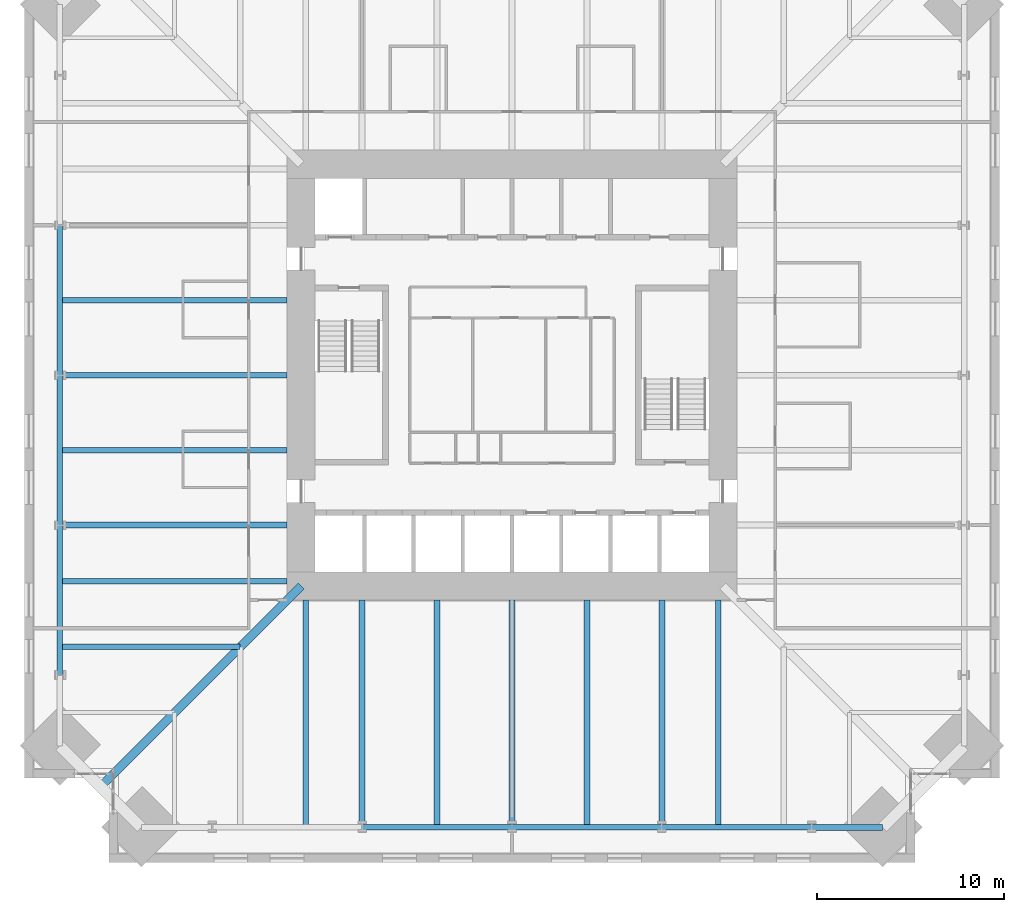
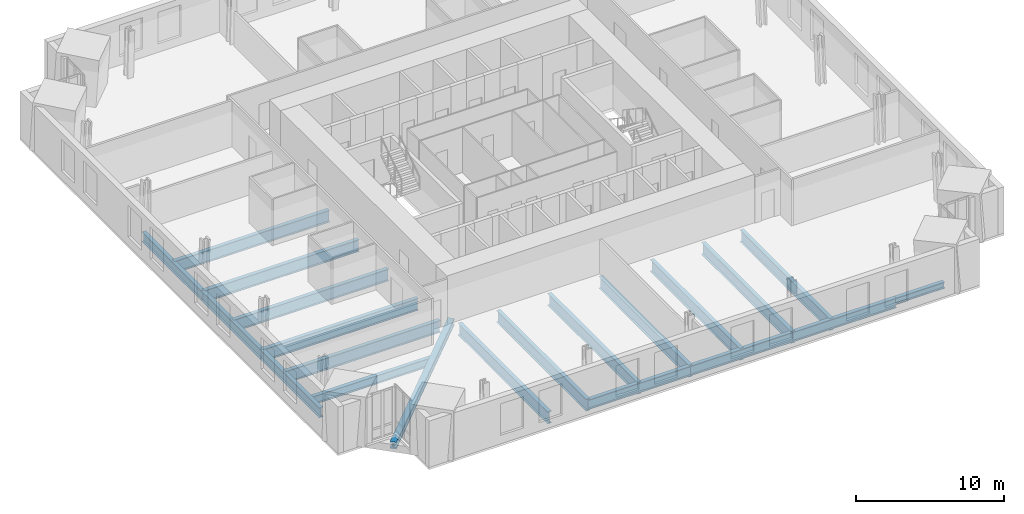
# One storey, part 3 of 18: 21 beams.
"""IFC4 building model written with IfcOpenShell, lengths in metres."""

from ifc_helpers import new_model, si_unit, direction, frame, origin, origin_2d, place, context, subcontext, project, spatial, i_section, extrude, material, material_profile, profile_set, type_object, element, save


model = new_model("IFC4")

# Units and contexts
model_context = context("Model", 3, precision=1e-05, world=origin(), true_north=direction((0.0, 1.0)))
body_context = subcontext(model_context, "Body", "Model", "MODEL_VIEW")
ifc_project = project(units=[si_unit("LENGTHUNIT", "METRE"), si_unit("AREAUNIT", "SQUARE_METRE"), si_unit("VOLUMEUNIT", "CUBIC_METRE"), si_unit("PLANEANGLEUNIT", "RADIAN"), si_unit("MASSUNIT", "GRAM", prefix="KILO")], contexts=[model_context])

# Site, building, storey
site_placement = place(None, origin())
site = spatial("IfcSite", under=ifc_project, at=site_placement, CompositionType="ELEMENT")
building_placement = place(site_placement, origin())
building = spatial("IfcBuilding", under=site, at=building_placement, Name="Peilmerk Tower", CompositionType="ELEMENT")
storey_placement = place(building_placement, frame((0.0, 0.0, 167.800048828125)))
storey = spatial("IfcBuildingStorey", under=building, at=storey_placement, Name="L35", CompositionType="ELEMENT", Elevation=167.800048828125)

# Beams
ifc_material_1 = material(Name="Steel S355", Category="steel")
ifc_material_profile_1 = material_profile(ifc_material_1, i_section(OverallWidth=0.300048828125, OverallDepth=0.989990234375, WebThickness=0.0166015625, FlangeThickness=0.031005859375, at=origin_2d()), Name="HEA 1000")
ifc_profile_set_1 = profile_set([ifc_material_profile_1], Name="Steel S355")
beam_type_1 = type_object("IfcBeamType", Name="B14 HEA 1000 floor girder", PredefinedType="BEAM", material=ifc_profile_set_1)
for number, where, z_axis, x_axis, name in (
    (1, (-11.0, -12.0, -0.6650390625), (0.0, -1.0, 0.0), (1.0, 0.0, 0.0), "Floor beam L35"),
    (2, (-8.0, -12.0, -0.6650390625), (0.0, -1.0, 0.0), (1.0, 0.0, 0.0), "Floor beam L35"),
    (3, (-4.0, -12.0, -0.6650390625), (0.0, -1.0, 0.0), (1.0, 0.0, 0.0), "Floor beam L35"),
    (4, (0.0, -12.0, -0.6650390625), (0.0, -1.0, 0.0), (1.0, 0.0, 0.0), "Floor beam L35"),
    (5, (4.0, -12.0, -0.6650390625), (0.0, -1.0, 0.0), (1.0, 0.0, 0.0), "Floor beam L35"),
    (6, (8.0, -12.0, -0.6650390625), (0.0, -1.0, 0.0), (1.0, 0.0, 0.0), "Floor beam L35"),
    (7, (11.0, -12.0, -0.6650390625), (0.0, -1.0, 0.0), (1.0, 0.0, 0.0), "Floor beam L35"),
    (8, (-12.0, 4.0, -0.6650390625), (-1.0, 0.0, 0.0), (0.0, -1.0, 0.0), "Floor beam L35"),
    (9, (-12.0, 0.0, -0.6650390625), (-1.0, 0.0, 0.0), (0.0, -1.0, 0.0), "Floor beam L35"),
    (10, (-12.0, -4.0, -0.6650390625), (-1.0, 0.0, 0.0), (0.0, -1.0, 0.0), "Floor beam L35"),
    (11, (-12.0, -8.0, -0.6650390625), (-1.0, 0.0, 0.0), (0.0, -1.0, 0.0), "Floor beam L35"),
    (12, (-12.0, -11.0, -0.6650390625), (-1.0, 0.0, 0.0), (0.0, -1.0, 0.0), "Floor beam L35"),
):
    element("IfcBeam", number, at=place(storey_placement, frame(where, z_axis=z_axis, x_axis=x_axis)), inside=storey, type_object=beam_type_1, Name=name, PredefinedType="BEAM", context=body_context, shape_type="SweptSolid", body=[
        extrude(i_section(OverallWidth=0.300048828125, OverallDepth=0.989990234375, WebThickness=0.0166015625, FlangeThickness=0.031005859375, at=origin_2d()), origin(), (0.0, 0.0, 1.0), 12.130615234375),
    ])
ifc_material_profile_2 = material_profile(ifc_material_1, i_section(OverallWidth=0.302978515625, OverallDepth=0.81396484375, WebThickness=0.02099609375, FlangeThickness=0.0400390625, at=origin_2d()), Name="HEM 800")
ifc_profile_set_2 = profile_set([ifc_material_profile_2], Name="Steel S355")
beam_type_2 = type_object("IfcBeamType", Name="B15 HEM 800 edge beam", PredefinedType="SPANDREL", material=ifc_profile_set_2)
for number, where, z_axis, x_axis, name in (
    (13, (-8.0, -24.130615234375, -0.5771484375), (1.0, 0.0, 0.0), (0.0, 1.0, 0.0), "Edge beam L35"),
    (14, (0.0, -24.130615234375, -0.5771484375), (1.0, 0.0, 0.0), (0.0, 1.0, 0.0), "Edge beam L35"),
    (15, (8.0, -24.130615234375, -0.5771484375), (1.0, 0.0, 0.0), (0.0, 1.0, 0.0), "Edge beam L35"),
    (16, (-24.130615234375, 8.0, -0.5771484375), (0.0, -1.0, 0.0), (1.0, 0.0, 0.0), "Edge beam L35"),
    (17, (-24.130615234375, 0.0, -0.5771484375), (0.0, -1.0, 0.0), (1.0, 0.0, 0.0), "Edge beam L35"),
    (18, (-24.130615234375, -8.0, -0.5771484375), (0.0, -1.0, 0.0), (1.0, 0.0, 0.0), "Edge beam L35"),
):
    element("IfcBeam", number, at=place(storey_placement, frame(where, z_axis=z_axis, x_axis=x_axis)), inside=storey, type_object=beam_type_2, Name=name, PredefinedType="SPANDREL", context=body_context, shape_type="SweptSolid", body=[
        extrude(i_section(OverallWidth=0.302978515625, OverallDepth=0.81396484375, WebThickness=0.02099609375, FlangeThickness=0.0400390625, at=origin_2d()), origin(), (0.0, 0.0, 1.0), 8.0),
    ])
ifc_material_profile_3 = material_profile(ifc_material_1, i_section(OverallWidth=0.300048828125, OverallDepth=0.68994140625, WebThickness=0.014404296875, FlangeThickness=0.027099609375, at=origin_2d()), Name="HEA 700")
ifc_profile_set_3 = profile_set([ifc_material_profile_3], Name="Steel S355")
beam_type_3 = type_object("IfcBeamType", Name="B16 HEA 700 floor beam", PredefinedType="BEAM", material=ifc_profile_set_3)
beam_1_placement = place(storey_placement, frame((-14.5, -14.5, -0.51513671875), z_axis=(-1.0, 0.0, 0.0), x_axis=(0.0, -1.0, 0.0)))
element("IfcBeam", 19, at=beam_1_placement, inside=storey, type_object=beam_type_3, Name="Floor beam L35", PredefinedType="BEAM", context=body_context, shape_type="SweptSolid", body=[
    extrude(i_section(OverallWidth=0.300048828125, OverallDepth=0.68994140625, WebThickness=0.014404296875, FlangeThickness=0.027099609375, at=origin_2d()), origin(), (0.0, 0.0, 1.0), 9.630615234375),
])
ifc_material_profile_4 = material_profile(ifc_material_1, i_section(OverallWidth=0.305908203125, OverallDepth=0.52392578125, WebThickness=0.02099609375, FlangeThickness=0.0400390625, at=origin_2d()), Name="HEM 500")
ifc_profile_set_4 = profile_set([ifc_material_profile_4], Name="Steel S355")
beam_type_4 = type_object("IfcBeamType", Name="B33 HEM 500 edge beam", PredefinedType="SPANDREL", material=ifc_profile_set_4)
beam_2_placement = place(storey_placement, frame((16.0, -24.130615234375, -0.43212890625), z_axis=(1.0, 0.0, 0.0), x_axis=(0.0, 1.0, 0.0)))
element("IfcBeam", 20, at=beam_2_placement, inside=storey, type_object=beam_type_4, Name="Edge beam L35", PredefinedType="SPANDREL", context=body_context, shape_type="SweptSolid", body=[
    extrude(i_section(OverallWidth=0.305908203125, OverallDepth=0.52392578125, WebThickness=0.02099609375, FlangeThickness=0.0400390625, at=origin_2d()), origin(), (0.0, 0.0, 1.0), 3.78076171875),
])
ifc_material_2 = material(Name="Steel S460", Category="steel")
ifc_material_profile_5 = material_profile(ifc_material_2, i_section(OverallWidth=0.4541015625, OverallDepth=0.569091796875, WebThickness=0.077880859375, FlangeThickness=0.125, at=origin_2d()), Name="HD 400x1086")
ifc_profile_set_5 = profile_set([ifc_material_profile_5], Name="Steel S460")
beam_type_5 = type_object("IfcBeamType", Name="B9 HD 400x1086 corner girder", PredefinedType="BEAM", material=ifc_profile_set_5)
beam_3_placement = place(storey_placement, frame((-11.25, -11.25, -0.45458984375), z_axis=(-0.707106781187, -0.707106781187, 0.0), x_axis=(0.707106781187, -0.707106781187, 0.0)))
element("IfcBeam", 21, at=beam_3_placement, inside=storey, type_object=beam_type_5, Name="Corner girder L35", PredefinedType="BEAM", context=body_context, shape_type="SweptSolid", body=[
    extrude(i_section(OverallWidth=0.4541015625, OverallDepth=0.569091796875, WebThickness=0.077880859375, FlangeThickness=0.125, at=origin_2d()), origin(), (0.0, 0.0, 1.0), 15.139892578125),
])

save(model, "model.ifc")
